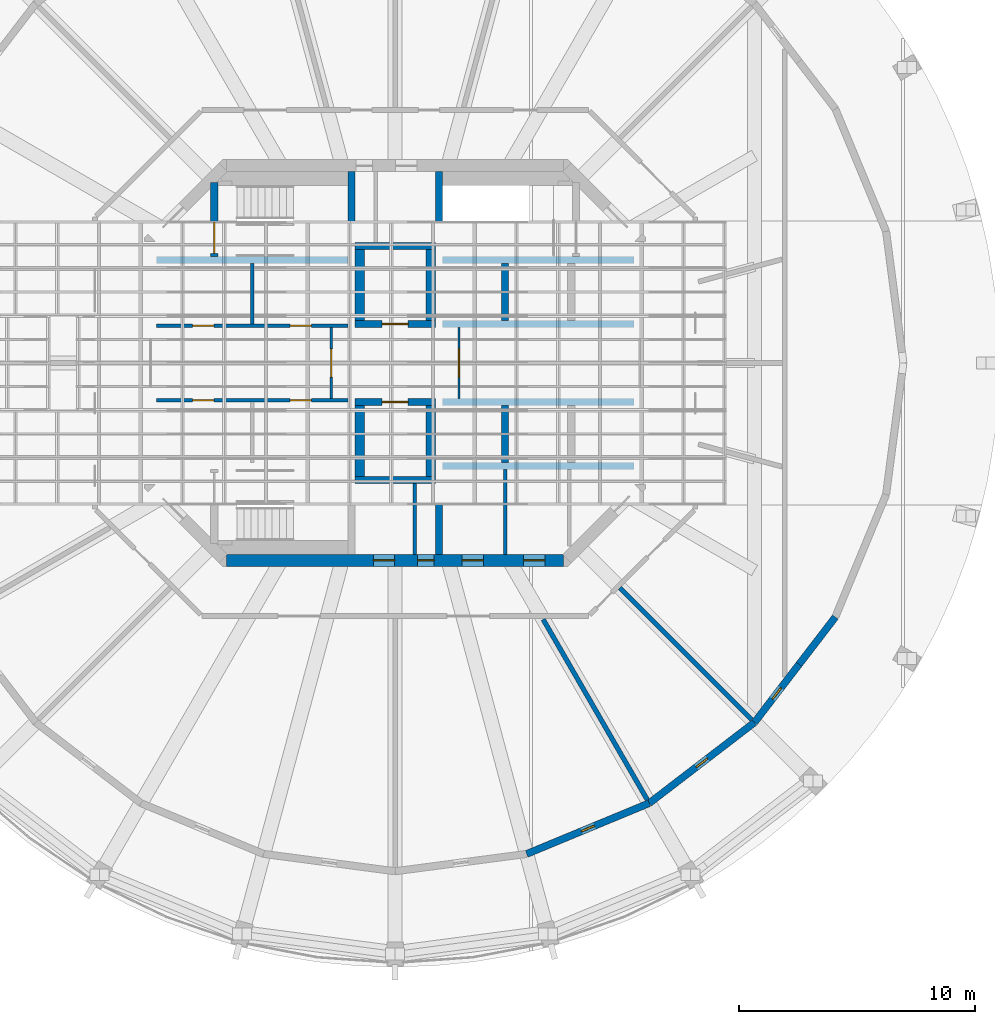
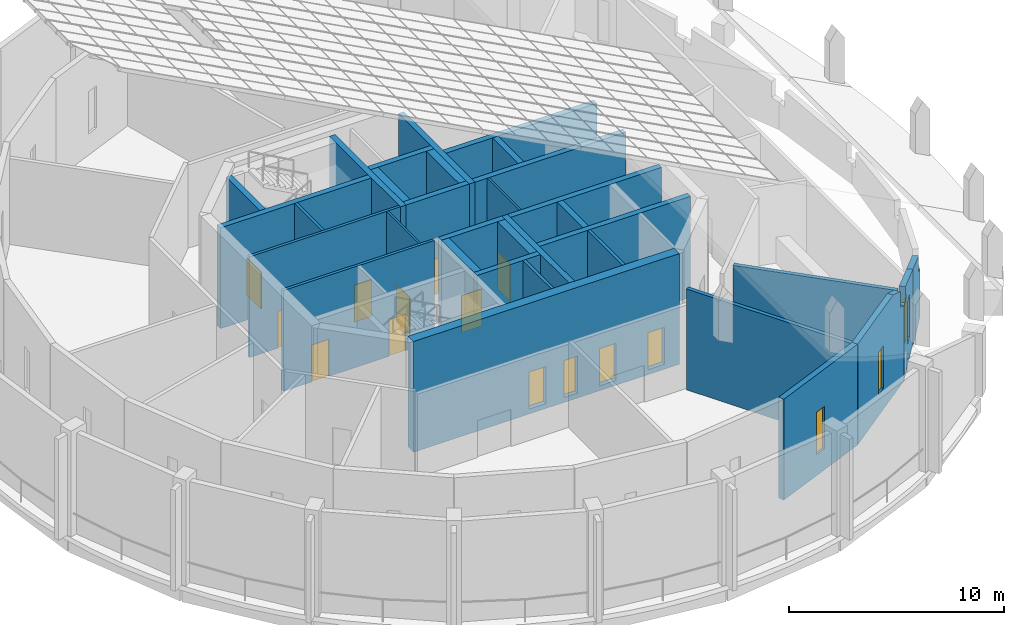
# One storey, part 14 of 19: 33 walls, 13 doors, 3 windows, 16 openings.
"""IFC4 building model written with IfcOpenShell, lengths in metres."""

from ifc_helpers import new_model, si_unit, direction, frame, frame_2d, origin, place, context, subcontext, project, spatial, polyline, rectangle, outline, extrude, material, layer, layer_set, type_object, element, fill, save


model = new_model("IFC4")

# Units and contexts
model_context = context("Model", 3, precision=1e-05, world=origin(), true_north=direction((0.0, 1.0)))
body_context = subcontext(model_context, "Body", "Model", "MODEL_VIEW")
ifc_project = project(units=[si_unit("LENGTHUNIT", "METRE"), si_unit("AREAUNIT", "SQUARE_METRE"), si_unit("VOLUMEUNIT", "CUBIC_METRE"), si_unit("PLANEANGLEUNIT", "RADIAN"), si_unit("MASSUNIT", "GRAM", prefix="KILO")], contexts=[model_context])

# Site, building, storey
site_placement = place(None, origin())
site = spatial("IfcSite", under=ifc_project, at=site_placement, CompositionType="ELEMENT")
building_placement = place(site_placement, origin())
building = spatial("IfcBuilding", under=site, at=building_placement, Name="Torre Triforio", CompositionType="ELEMENT")
storey_placement = place(building_placement, frame((0.0, 0.0, 290.800048828125)))
storey = spatial("IfcBuildingStorey", under=building, at=storey_placement, Name="RF-1", CompositionType="ELEMENT", Elevation=290.800048828125)

# Walls
ifc_material_1 = material(Name="Concrete C40", Category="concrete")
ifc_layer_1 = layer(ifc_material_1, 0.300048828125)
ifc_layer_set_1 = layer_set([ifc_layer_1], Name="Concrete C40")
wall_type_1 = type_object("IfcWallType", Name="Core wall 300 mm C40 EI 120", PredefinedType="SHEAR", material=ifc_layer_set_1)
for number, where, z_axis, x_axis, name in (
    (1, (-1.85009765625, 1.5, 0.0), (0.0, 0.0, 1.0), (0.0, 1.0, 0.0), "Core wall"),
    (2, (1.85009765625, 1.5, 0.0), (0.0, 0.0, 1.0), (0.0, 1.0, 0.0), "Core wall"),
    (3, (1.85009765625, -8.10009765625, 0.0), (0.0, 0.0, 1.0), (0.0, 1.0, 0.0), "Core wall"),
):
    element("IfcWall", number, at=place(storey_placement, frame(where, z_axis=z_axis, x_axis=x_axis)), inside=storey, type_object=wall_type_1, Name=name, PredefinedType="SHEAR", context=body_context, shape_type="SweptSolid", body=[
        extrude(rectangle(XDim=6.60009765625, YDim=0.300048828125, at=frame_2d((3.300048828125, 0.0))), origin(), (0.0, 0.0, 1.0), 5.719970703125),
    ])

# Wall, openings, doors
ifc_layer_2 = layer(ifc_material_1, 0.5)
ifc_layer_set_2 = layer_set([ifc_layer_2], Name="Concrete C40")
wall_type_2 = type_object("IfcWallType", Name="Core wall 500 mm C40 EI 120", PredefinedType="SHEAR", material=ifc_layer_set_2)
wall_1_placement = place(storey_placement, frame((-7.1298828125, -8.35009765625, -0.280029296875), z_axis=(0.0, 0.0, 1.0), x_axis=(1.0, 0.0, 0.0)))
wall_1 = element("IfcWall", 4, at=wall_1_placement, inside=storey, type_object=wall_type_2, Name="Core wall", PredefinedType="SHEAR", context=body_context, shape_type="SweptSolid", body=[
    extrude(rectangle(XDim=14.259765625, YDim=0.5, at=frame_2d((7.1298828125, 0.0))), origin(), (0.0, 0.0, 1.0), 6.280029296875),
])
opening_1_placement = place(wall_1_placement, frame((8.080078125, 0.0, 0.280029296875)))
opening_1 = element("IfcOpeningElement", 5, at=opening_1_placement, cuts=wall_1, Name="Opening RISER-S", PredefinedType="OPENING", context=body_context, shape_type="SweptSolid", body=[
    extrude(rectangle(XDim=0.699951171875, YDim=2.10009765625, at=frame_2d((0.35009765625, 1.050048828125))), frame((0.0, 0.260009765625, 0.0), z_axis=(0.0, -1.0, 0.0), x_axis=(1.0, 0.0, 0.0)), (0.0, 0.0, 1.0), 0.52001953125),
])
opening_2_placement = place(wall_1_placement, frame((6.205078125, 0.0, 0.280029296875)))
opening_2 = element("IfcOpeningElement", 6, at=opening_2_placement, cuts=wall_1, Name="Opening SW-01", PredefinedType="OPENING", context=body_context, shape_type="SweptSolid", body=[
    extrude(rectangle(XDim=0.89990234375, YDim=2.10009765625, at=frame_2d((0.449951171875, 1.050048828125))), frame((0.0, 0.260009765625, 0.0), z_axis=(0.0, -1.0, 0.0), x_axis=(1.0, 0.0, 0.0)), (0.0, 0.0, 1.0), 0.52001953125),
])
opening_3_placement = place(wall_1_placement, frame((9.967041015625, 0.0, 0.280029296875)))
opening_3 = element("IfcOpeningElement", 7, at=opening_3_placement, cuts=wall_1, Name="Opening SE-01", PredefinedType="OPENING", context=body_context, shape_type="SweptSolid", body=[
    extrude(rectangle(XDim=0.89990234375, YDim=2.10009765625, at=frame_2d((0.449951171875, 1.050048828125))), frame((0.0, 0.260009765625, 0.0), z_axis=(0.0, -1.0, 0.0), x_axis=(1.0, 0.0, 0.0)), (0.0, 0.0, 1.0), 0.52001953125),
])
opening_4_placement = place(wall_1_placement, frame((12.56689453125, 0.0, 0.280029296875)))
opening_4 = element("IfcOpeningElement", 8, at=opening_4_placement, cuts=wall_1, Name="Opening SE-02A", PredefinedType="OPENING", context=body_context, shape_type="SweptSolid", body=[
    extrude(rectangle(XDim=0.89990234375, YDim=2.10009765625, at=frame_2d((0.449951171875, 1.050048828125))), frame((0.0, 0.260009765625, 0.0), z_axis=(0.0, -1.0, 0.0), x_axis=(1.0, 0.0, 0.0)), (0.0, 0.0, 1.0), 0.52001953125),
])
ifc_material_2 = material(Name="Hollow metal fire door leaf")
door_type_1 = type_object("IfcDoorType", Name="Plant room door 900 x 2100 EI 60", OperationType="NOTDEFINED", PredefinedType="DOOR", material=ifc_material_2)
door_1_placement = place(opening_2_placement, origin())
door_1 = element("IfcDoor", 9, at=door_1_placement, inside=storey, type_object=door_type_1, Name="Core door SW-01", OperationType="SINGLE_SWING_LEFT", OverallHeight=2.10009765625, OverallWidth=0.89990234375, PredefinedType="DOOR", context=body_context, shape_type="SweptSolid", body=[
    extrude(rectangle(XDim=0.89990234375, YDim=2.10009765625, at=frame_2d((0.449951171875, 1.050048828125))), frame((0.0, 0.02490234375, 0.0), z_axis=(0.0, -1.0, 0.0), x_axis=(1.0, 0.0, 0.0)), (0.0, 0.0, 1.0), 0.050048828125),
])
fill(opening_2, door_1)
door_2_placement = place(opening_3_placement, origin())
door_2 = element("IfcDoor", 10, at=door_2_placement, inside=storey, type_object=door_type_1, Name="Core door SE-01", OperationType="SINGLE_SWING_LEFT", OverallHeight=2.10009765625, OverallWidth=0.89990234375, PredefinedType="DOOR", context=body_context, shape_type="SweptSolid", body=[
    extrude(rectangle(XDim=0.89990234375, YDim=2.10009765625, at=frame_2d((0.449951171875, 1.050048828125))), frame((0.0, 0.02490234375, 0.0), z_axis=(0.0, -1.0, 0.0), x_axis=(1.0, 0.0, 0.0)), (0.0, 0.0, 1.0), 0.050048828125),
])
fill(opening_3, door_2)
door_3_placement = place(opening_4_placement, origin())
door_3 = element("IfcDoor", 11, at=door_3_placement, inside=storey, type_object=door_type_1, Name="Core door SE-02", OperationType="SINGLE_SWING_LEFT", OverallHeight=2.10009765625, OverallWidth=0.89990234375, PredefinedType="DOOR", context=body_context, shape_type="SweptSolid", body=[
    extrude(rectangle(XDim=0.89990234375, YDim=2.10009765625, at=frame_2d((0.449951171875, 1.050048828125))), frame((0.0, 0.02490234375, 0.0), z_axis=(0.0, -1.0, 0.0), x_axis=(1.0, 0.0, 0.0)), (0.0, 0.0, 1.0), 0.050048828125),
])
fill(opening_4, door_3)
door_type_2 = type_object("IfcDoorType", Name="Riser door 700 x 2100 EI 60", OperationType="NOTDEFINED", PredefinedType="DOOR", material=ifc_material_2)
door_4_placement = place(opening_1_placement, origin())
door_4 = element("IfcDoor", 12, at=door_4_placement, inside=storey, type_object=door_type_2, Name="Core door RISER-S", OperationType="SINGLE_SWING_RIGHT", OverallHeight=2.10009765625, OverallWidth=0.699951171875, PredefinedType="DOOR", context=body_context, shape_type="SweptSolid", body=[
    extrude(rectangle(XDim=0.699951171875, YDim=2.10009765625, at=frame_2d((0.35009765625, 1.050048828125))), frame((0.0, 0.02490234375, 0.0), z_axis=(0.0, -1.0, 0.0), x_axis=(1.0, 0.0, 0.0)), (0.0, 0.0, 1.0), 0.050048828125),
])
fill(opening_1, door_4)

# Wall, opening, door
ifc_material_3 = material(Name="Block and board partition")
ifc_layer_3 = layer(ifc_material_3, 0.10009765625)
ifc_layer_set_3 = layer_set([ifc_layer_3], Name="Block and board partition")
wall_type_3 = type_object("IfcWallType", Name="Partition 100 mm EI 120", PredefinedType="PARTITIONING", material=ifc_layer_set_3)
wall_2_placement = place(storey_placement, frame((-2.699951171875, -1.5, 0.0), z_axis=(0.0, 0.0, 1.0), x_axis=(0.0, 1.0, 0.0)))
wall_2 = element("IfcWall", 13, at=wall_2_placement, inside=storey, type_object=wall_type_3, Name="Partition", PredefinedType="PARTITIONING", context=body_context, shape_type="SweptSolid", body=[
    extrude(rectangle(XDim=3.0, YDim=0.10009765625, at=frame_2d((1.5, 0.0))), origin(), (0.0, 0.0, 1.0), 5.719970703125),
])
opening_5_placement = place(wall_2_placement, frame((0.89990234375, 0.0, 0.0)))
opening_5 = element("IfcOpeningElement", 14, at=opening_5_placement, cuts=wall_2, Name="Opening FF-W", PredefinedType="OPENING", context=body_context, shape_type="SweptSolid", body=[
    extrude(rectangle(XDim=1.199951171875, YDim=2.10009765625, at=frame_2d((0.60009765625, 1.050048828125))), frame((0.0, 0.06005859375, 0.0), z_axis=(0.0, -1.0, 0.0), x_axis=(1.0, 0.0, 0.0)), (0.0, 0.0, 1.0), 0.1201171875),
])
door_type_3 = type_object("IfcDoorType", Name="Fire-fighting lobby door 1200 x 2100 EI 60", OperationType="NOTDEFINED", PredefinedType="DOOR", material=ifc_material_2)
door_5_placement = place(opening_5_placement, origin())
door_5 = element("IfcDoor", 15, at=door_5_placement, inside=storey, type_object=door_type_3, Name="Core door FF-W", OperationType="SINGLE_SWING_RIGHT", OverallHeight=2.10009765625, OverallWidth=1.199951171875, PredefinedType="DOOR", context=body_context, shape_type="SweptSolid", body=[
    extrude(rectangle(XDim=1.199951171875, YDim=2.10009765625, at=frame_2d((0.60009765625, 1.050048828125))), frame((0.0, 0.02490234375, 0.0), z_axis=(0.0, -1.0, 0.0), x_axis=(1.0, 0.0, 0.0)), (0.0, 0.0, 1.0), 0.050048828125),
])
fill(opening_5, door_5)

wall_3_placement = place(storey_placement, frame((2.699951171875, -1.5, 0.0), z_axis=(0.0, 0.0, 1.0), x_axis=(0.0, 1.0, 0.0)))
wall_3 = element("IfcWall", 16, at=wall_3_placement, inside=storey, type_object=wall_type_3, Name="Partition", PredefinedType="PARTITIONING", context=body_context, shape_type="SweptSolid", body=[
    extrude(rectangle(XDim=3.0, YDim=0.10009765625, at=frame_2d((1.5, 0.0))), origin(), (0.0, 0.0, 1.0), 5.719970703125),
])
opening_6_placement = place(wall_3_placement, frame((0.89990234375, 0.0, 0.0)))
opening_6 = element("IfcOpeningElement", 17, at=opening_6_placement, cuts=wall_3, Name="Opening FF-E", PredefinedType="OPENING", context=body_context, shape_type="SweptSolid", body=[
    extrude(rectangle(XDim=1.199951171875, YDim=2.10009765625, at=frame_2d((0.60009765625, 1.050048828125))), frame((0.0, 0.06005859375, 0.0), z_axis=(0.0, -1.0, 0.0), x_axis=(1.0, 0.0, 0.0)), (0.0, 0.0, 1.0), 0.1201171875),
])
door_6_placement = place(opening_6_placement, origin())
door_6 = element("IfcDoor", 18, at=door_6_placement, inside=storey, type_object=door_type_3, Name="Core door FF-E", OperationType="SINGLE_SWING_RIGHT", OverallHeight=2.10009765625, OverallWidth=1.199951171875, PredefinedType="DOOR", context=body_context, shape_type="SweptSolid", body=[
    extrude(rectangle(XDim=1.199951171875, YDim=2.10009765625, at=frame_2d((0.60009765625, 1.050048828125))), frame((0.0, 0.02490234375, 0.0), z_axis=(0.0, -1.0, 0.0), x_axis=(1.0, 0.0, 0.0)), (0.0, 0.0, 1.0), 0.050048828125),
])
fill(opening_6, door_6)

# Walls
ifc_layer_4 = layer(ifc_material_3, 0.14990234375)
ifc_layer_set_4 = layer_set([ifc_layer_4], Name="Block and board partition")
wall_type_4 = type_object("IfcWallType", Name="Partition 150 mm", PredefinedType="PARTITIONING", material=ifc_layer_set_4)
wall_4_placement = place(storey_placement, frame((4.64892578125, -8.10009765625, 0.0), z_axis=(0.0, 0.0, 1.0), x_axis=(0.0, 1.0, 0.0)))
element("IfcWall", 19, at=wall_4_placement, inside=storey, type_object=wall_type_4, Name="Partition", PredefinedType="PARTITIONING", context=body_context, shape_type="SweptSolid", body=[
    extrude(rectangle(XDim=3.60009765625, YDim=0.14990234375, at=frame_2d((1.800048828125, 0.0))), origin(), (0.0, 0.0, 1.0), 5.719970703125),
])
wall_5_placement = place(storey_placement, frame((-6.050048828125, 1.64990234375, 0.0), z_axis=(0.0, 0.0, 1.0), x_axis=(0.0, 1.0, 0.0)))
element("IfcWall", 20, at=wall_5_placement, inside=storey, type_object=wall_type_4, Name="Partition", PredefinedType="PARTITIONING", context=body_context, shape_type="SweptSolid", body=[
    extrude(rectangle(XDim=2.550048828125, YDim=0.14990234375, at=frame_2d((1.27490234375, 0.0))), origin(), (0.0, 0.0, 1.0), 5.719970703125),
])
ifc_layer_5 = layer(ifc_material_3, 0.14990234375)
ifc_layer_set_5 = layer_set([ifc_layer_5], Name="Block and board partition")
wall_type_5 = type_object("IfcWallType", Name="Partition 150 mm EI 120", PredefinedType="PARTITIONING", material=ifc_layer_set_5)
wall_6_placement = place(storey_placement, frame((0.824951171875, -8.10009765625, 0.0), z_axis=(0.0, 0.0, 1.0), x_axis=(0.0, 1.0, 0.0)))
element("IfcWall", 21, at=wall_6_placement, inside=storey, type_object=wall_type_5, Name="Partition", PredefinedType="PARTITIONING", context=body_context, shape_type="SweptSolid", body=[
    extrude(rectangle(XDim=3.0, YDim=0.14990234375, at=frame_2d((1.5, 0.0))), origin(), (0.0, 0.0, 1.0), 5.719970703125),
])

# Wall, openings, doors
wall_7_placement = place(storey_placement, frame((-10.10009765625, 1.574951171875, 0.0), z_axis=(0.0, 0.0, 1.0), x_axis=(1.0, 0.0, 0.0)))
wall_7 = element("IfcWall", 22, at=wall_7_placement, inside=storey, type_object=wall_type_5, Name="Partition", PredefinedType="PARTITIONING", context=body_context, shape_type="SweptSolid", body=[
    extrude(rectangle(XDim=8.10009765625, YDim=0.14990234375, at=frame_2d((4.050048828125, 0.0))), origin(), (0.0, 0.0, 1.0), 5.719970703125),
])
opening_7_placement = place(wall_7_placement, frame((1.53759765625, 0.0, 0.0)))
opening_7 = element("IfcOpeningElement", 23, at=opening_7_placement, cuts=wall_7, Name="Opening FN-01A", PredefinedType="OPENING", context=body_context, shape_type="SweptSolid", body=[
    extrude(rectangle(XDim=0.89990234375, YDim=2.10009765625, at=frame_2d((0.449951171875, 1.050048828125))), frame((0.0, 0.0849609375, 0.0), z_axis=(0.0, -1.0, 0.0), x_axis=(1.0, 0.0, 0.0)), (0.0, 0.0, 1.0), 0.169921875),
])
opening_8_placement = place(wall_7_placement, frame((5.66259765625, 0.0, 0.0)))
opening_8 = element("IfcOpeningElement", 24, at=opening_8_placement, cuts=wall_7, Name="Opening FN-02A", PredefinedType="OPENING", context=body_context, shape_type="SweptSolid", body=[
    extrude(rectangle(XDim=0.89990234375, YDim=2.10009765625, at=frame_2d((0.449951171875, 1.050048828125))), frame((0.0, 0.0849609375, 0.0), z_axis=(0.0, -1.0, 0.0), x_axis=(1.0, 0.0, 0.0)), (0.0, 0.0, 1.0), 0.169921875),
])
door_7_placement = place(opening_7_placement, origin())
door_7 = element("IfcDoor", 25, at=door_7_placement, inside=storey, type_object=door_type_1, Name="Core door FN-01", OperationType="SINGLE_SWING_RIGHT", OverallHeight=2.10009765625, OverallWidth=0.89990234375, PredefinedType="DOOR", context=body_context, shape_type="SweptSolid", body=[
    extrude(rectangle(XDim=0.89990234375, YDim=2.10009765625, at=frame_2d((0.449951171875, 1.050048828125))), frame((0.0, 0.02490234375, 0.0), z_axis=(0.0, -1.0, 0.0), x_axis=(1.0, 0.0, 0.0)), (0.0, 0.0, 1.0), 0.050048828125),
])
fill(opening_7, door_7)
door_8_placement = place(opening_8_placement, origin())
door_8 = element("IfcDoor", 26, at=door_8_placement, inside=storey, type_object=door_type_1, Name="Core door FN-02", OperationType="SINGLE_SWING_RIGHT", OverallHeight=2.10009765625, OverallWidth=0.89990234375, PredefinedType="DOOR", context=body_context, shape_type="SweptSolid", body=[
    extrude(rectangle(XDim=0.89990234375, YDim=2.10009765625, at=frame_2d((0.449951171875, 1.050048828125))), frame((0.0, 0.02490234375, 0.0), z_axis=(0.0, -1.0, 0.0), x_axis=(1.0, 0.0, 0.0)), (0.0, 0.0, 1.0), 0.050048828125),
])
fill(opening_8, door_8)

wall_8_placement = place(storey_placement, frame((-10.10009765625, -1.574951171875, 0.0), z_axis=(0.0, 0.0, 1.0), x_axis=(1.0, 0.0, 0.0)))
wall_8 = element("IfcWall", 27, at=wall_8_placement, inside=storey, type_object=wall_type_5, Name="Partition", PredefinedType="PARTITIONING", context=body_context, shape_type="SweptSolid", body=[
    extrude(rectangle(XDim=8.10009765625, YDim=0.14990234375, at=frame_2d((4.050048828125, 0.0))), origin(), (0.0, 0.0, 1.0), 5.719970703125),
])
opening_9_placement = place(wall_8_placement, frame((1.53759765625, 0.0, 0.0)))
opening_9 = element("IfcOpeningElement", 28, at=opening_9_placement, cuts=wall_8, Name="Opening FS-01A", PredefinedType="OPENING", context=body_context, shape_type="SweptSolid", body=[
    extrude(rectangle(XDim=0.89990234375, YDim=2.10009765625, at=frame_2d((0.449951171875, 1.050048828125))), frame((0.0, 0.0849609375, 0.0), z_axis=(0.0, -1.0, 0.0), x_axis=(1.0, 0.0, 0.0)), (0.0, 0.0, 1.0), 0.169921875),
])
opening_10_placement = place(wall_8_placement, frame((5.66259765625, 0.0, 0.0)))
opening_10 = element("IfcOpeningElement", 29, at=opening_10_placement, cuts=wall_8, Name="Opening FS-02A", PredefinedType="OPENING", context=body_context, shape_type="SweptSolid", body=[
    extrude(rectangle(XDim=0.89990234375, YDim=2.10009765625, at=frame_2d((0.449951171875, 1.050048828125))), frame((0.0, 0.0849609375, 0.0), z_axis=(0.0, -1.0, 0.0), x_axis=(1.0, 0.0, 0.0)), (0.0, 0.0, 1.0), 0.169921875),
])
door_9_placement = place(opening_9_placement, origin())
door_9 = element("IfcDoor", 30, at=door_9_placement, inside=storey, type_object=door_type_1, Name="Core door FS-01", OperationType="SINGLE_SWING_LEFT", OverallHeight=2.10009765625, OverallWidth=0.89990234375, PredefinedType="DOOR", context=body_context, shape_type="SweptSolid", body=[
    extrude(rectangle(XDim=0.89990234375, YDim=2.10009765625, at=frame_2d((0.449951171875, 1.050048828125))), frame((0.0, 0.02490234375, 0.0), z_axis=(0.0, -1.0, 0.0), x_axis=(1.0, 0.0, 0.0)), (0.0, 0.0, 1.0), 0.050048828125),
])
fill(opening_9, door_9)
door_10_placement = place(opening_10_placement, origin())
door_10 = element("IfcDoor", 31, at=door_10_placement, inside=storey, type_object=door_type_1, Name="Core door FS-02", OperationType="SINGLE_SWING_LEFT", OverallHeight=2.10009765625, OverallWidth=0.89990234375, PredefinedType="DOOR", context=body_context, shape_type="SweptSolid", body=[
    extrude(rectangle(XDim=0.89990234375, YDim=2.10009765625, at=frame_2d((0.449951171875, 1.050048828125))), frame((0.0, 0.02490234375, 0.0), z_axis=(0.0, -1.0, 0.0), x_axis=(1.0, 0.0, 0.0)), (0.0, 0.0, 1.0), 0.050048828125),
])
fill(opening_10, door_10)

# Walls
ifc_material_4 = material(Name="Masonry block", Category="masonry")
ifc_layer_6 = layer(ifc_material_4, 0.199951171875)
ifc_layer_set_6 = layer_set([ifc_layer_6], Name="Masonry block")
wall_type_6 = type_object("IfcWallType", Name="Plant room wall 200 mm block EI 120", PredefinedType="PARTITIONING", material=ifc_layer_set_6)
wall_9_placement = place(storey_placement, frame((6.263916015625, -10.849365234375, 0.0), z_axis=(0.0, 0.0, 1.0), x_axis=(0.500011144378, -0.866018969479, 0.0)))
element("IfcWall", 32, at=wall_9_placement, inside=storey, type_object=wall_type_6, Name="Partition 21", PredefinedType="PARTITIONING", context=body_context, shape_type="SweptSolid", body=[
    extrude(rectangle(XDim=8.808837890625, YDim=0.199951171875, at=frame_2d((4.404296875, 0.0))), origin(), (0.0, 0.0, 1.0), 5.719970703125),
])
wall_10_placement = place(storey_placement, frame((9.50927734375, -9.50927734375, 0.0), z_axis=(0.0, 0.0, 1.0), x_axis=(0.707106781187, -0.707106781187, 0.0)))
element("IfcWall", 33, at=wall_10_placement, inside=storey, type_object=wall_type_6, Name="Partition 22", PredefinedType="PARTITIONING", context=body_context, shape_type="SweptSolid", body=[
    extrude(rectangle(XDim=7.888671875, YDim=0.199951171875, at=frame_2d((3.9443359375, 0.0))), origin(), (0.0, 0.0, 1.0), 5.113037109375),
])
ifc_layer_7 = layer(ifc_material_1, 0.300048828125)
ifc_layer_set_7 = layer_set([ifc_layer_7], Name="Concrete C40")
wall_type_7 = type_object("IfcWallType", Name="Shaft wall 300 mm C40 EI 120", PredefinedType="SOLIDWALL", material=ifc_layer_set_7)
for number, where, z_axis, x_axis, name in (
    (34, (-10.10009765625, 4.35009765625, 0.0), (0.0, 0.0, 1.0), (1.0, 0.0, 0.0), "Shaft wall"),
    (35, (2.0, 4.35009765625, 0.0), (0.0, 0.0, 1.0), (1.0, 0.0, 0.0), "Shaft wall"),
    (36, (2.0, -4.35009765625, 0.0), (0.0, 0.0, 1.0), (1.0, 0.0, 0.0), "Shaft wall"),
    (37, (2.0, 1.64990234375, 0.0), (0.0, 0.0, 1.0), (1.0, 0.0, 0.0), "Shaft wall"),
    (38, (2.0, -1.64990234375, 0.0), (0.0, 0.0, 1.0), (1.0, 0.0, 0.0), "Shaft wall"),
):
    element("IfcWall", number, at=place(storey_placement, frame(where, z_axis=z_axis, x_axis=x_axis)), inside=storey, type_object=wall_type_7, Name=name, PredefinedType="SOLIDWALL", context=body_context, shape_type="SweptSolid", body=[
        extrude(rectangle(XDim=8.10009765625, YDim=0.300048828125, at=frame_2d((4.050048828125, 0.0))), origin(), (0.0, 0.0, 1.0), 5.719970703125),
    ])
for number, where, z_axis, x_axis, name in (
    (39, (4.64990234375, 1.800048828125, 0.0), (0.0, 0.0, 1.0), (0.0, 1.0, 0.0), "Shaft wall"),
    (40, (4.64990234375, -4.199951171875, 0.0), (0.0, 0.0, 1.0), (0.0, 1.0, 0.0), "Shaft wall"),
):
    element("IfcWall", number, at=place(storey_placement, frame(where, z_axis=z_axis, x_axis=x_axis)), inside=storey, type_object=wall_type_7, Name=name, PredefinedType="SOLIDWALL", context=body_context, shape_type="SweptSolid", body=[
        extrude(rectangle(XDim=2.39990234375, YDim=0.300048828125, at=frame_2d((1.199951171875, 0.0))), origin(), (0.0, 0.0, 1.0), 5.719970703125),
    ])

# Wall, opening, door
wall_11_placement = place(storey_placement, frame((-1.699951171875, 1.64990234375, 0.0), z_axis=(0.0, 0.0, 1.0), x_axis=(1.0, 0.0, 0.0)))
wall_11 = element("IfcWall", 41, at=wall_11_placement, inside=storey, type_object=wall_type_7, Name="Shaft wall", PredefinedType="SOLIDWALL", context=body_context, shape_type="SweptSolid", body=[
    extrude(rectangle(XDim=3.39990234375, YDim=0.300048828125, at=frame_2d((1.699951171875, 0.0))), origin(), (0.0, 0.0, 1.0), 5.719970703125),
])
opening_11_placement = place(wall_11_placement, frame((1.14990234375, 0.0, 0.0)))
opening_11 = element("IfcOpeningElement", 42, at=opening_11_placement, cuts=wall_11, Name="Opening LD", PredefinedType="OPENING", context=body_context, shape_type="SweptSolid", body=[
    extrude(rectangle(XDim=1.10009765625, YDim=2.10009765625, at=frame_2d((0.550048828125, 1.050048828125))), frame((0.0, 0.159912109375, 0.0), z_axis=(0.0, -1.0, 0.0), x_axis=(1.0, 0.0, 0.0)), (0.0, 0.0, 1.0), 0.320068359375),
])
door_type_4 = type_object("IfcDoorType", Name="Landing door 1100 x 2100 EI 60", OperationType="DOUBLE_DOOR_SLIDING", PredefinedType="DOOR", material=ifc_material_2)
door_11_placement = place(opening_11_placement, origin())
door_11 = element("IfcDoor", 43, at=door_11_placement, inside=storey, type_object=door_type_4, Name="Landing door FFL1", OperationType="DOUBLE_DOOR_SLIDING", OverallHeight=2.10009765625, OverallWidth=1.10009765625, PredefinedType="DOOR", context=body_context, shape_type="SweptSolid", body=[
    extrude(rectangle(XDim=1.10009765625, YDim=2.10009765625, at=frame_2d((0.550048828125, 1.050048828125))), frame((0.0, 0.02490234375, 0.0), z_axis=(0.0, -1.0, 0.0), x_axis=(1.0, 0.0, 0.0)), (0.0, 0.0, 1.0), 0.050048828125),
])
fill(opening_11, door_11)

wall_12_placement = place(storey_placement, frame((-1.699951171875, -1.64990234375, 0.0), z_axis=(0.0, 0.0, 1.0), x_axis=(1.0, 0.0, 0.0)))
wall_12 = element("IfcWall", 44, at=wall_12_placement, inside=storey, type_object=wall_type_7, Name="Shaft wall", PredefinedType="SOLIDWALL", context=body_context, shape_type="SweptSolid", body=[
    extrude(rectangle(XDim=3.39990234375, YDim=0.300048828125, at=frame_2d((1.699951171875, 0.0))), origin(), (0.0, 0.0, 1.0), 5.719970703125),
])
opening_12_placement = place(wall_12_placement, frame((1.14990234375, 0.0, 0.0)))
opening_12 = element("IfcOpeningElement", 45, at=opening_12_placement, cuts=wall_12, Name="Opening LD", PredefinedType="OPENING", context=body_context, shape_type="SweptSolid", body=[
    extrude(rectangle(XDim=1.10009765625, YDim=2.10009765625, at=frame_2d((0.550048828125, 1.050048828125))), frame((0.0, 0.159912109375, 0.0), z_axis=(0.0, -1.0, 0.0), x_axis=(1.0, 0.0, 0.0)), (0.0, 0.0, 1.0), 0.320068359375),
])
door_12_placement = place(opening_12_placement, origin())
door_12 = element("IfcDoor", 46, at=door_12_placement, inside=storey, type_object=door_type_4, Name="Landing door FFL2", OperationType="DOUBLE_DOOR_SLIDING", OverallHeight=2.10009765625, OverallWidth=1.10009765625, PredefinedType="DOOR", context=body_context, shape_type="SweptSolid", body=[
    extrude(rectangle(XDim=1.10009765625, YDim=2.10009765625, at=frame_2d((0.550048828125, 1.050048828125))), frame((0.0, 0.02490234375, 0.0), z_axis=(0.0, -1.0, 0.0), x_axis=(1.0, 0.0, 0.0)), (0.0, 0.0, 1.0), 0.050048828125),
])
fill(opening_12, door_12)

# Walls
for number, where, z_axis, x_axis, name in (
    (47, (-1.699951171875, 4.949951171875, 0.0), (0.0, 0.0, 1.0), (1.0, 0.0, 0.0), "Shaft wall"),
    (48, (-1.699951171875, -4.949951171875, 0.0), (0.0, 0.0, 1.0), (1.0, 0.0, 0.0), "Shaft wall"),
):
    element("IfcWall", number, at=place(storey_placement, frame(where, z_axis=z_axis, x_axis=x_axis)), inside=storey, type_object=wall_type_7, Name=name, PredefinedType="SOLIDWALL", context=body_context, shape_type="SweptSolid", body=[
        extrude(rectangle(XDim=3.39990234375, YDim=0.300048828125, at=frame_2d((1.699951171875, 0.0))), origin(), (0.0, 0.0, 1.0), 5.719970703125),
    ])
ifc_layer_8 = layer(ifc_material_1, 0.39990234375)
ifc_layer_set_8 = layer_set([ifc_layer_8], Name="Concrete C40")
wall_type_8 = type_object("IfcWallType", Name="Shaft wall 400 mm C40 EI 120", PredefinedType="SOLIDWALL", material=ifc_layer_set_8)
for number, where, z_axis, x_axis, name in (
    (49, (-1.5, 1.800048828125, 0.0), (0.0, 0.0, 1.0), (0.0, 1.0, 0.0), "Shaft wall"),
    (50, (-1.5, -4.800048828125, 0.0), (0.0, 0.0, 1.0), (0.0, 1.0, 0.0), "Shaft wall"),
    (51, (1.5, 1.800048828125, 0.0), (0.0, 0.0, 1.0), (0.0, 1.0, 0.0), "Shaft wall"),
    (52, (1.5, -4.800048828125, 0.0), (0.0, 0.0, 1.0), (0.0, 1.0, 0.0), "Shaft wall"),
):
    element("IfcWall", number, at=place(storey_placement, frame(where, z_axis=z_axis, x_axis=x_axis)), inside=storey, type_object=wall_type_8, Name=name, PredefinedType="SOLIDWALL", context=body_context, shape_type="SweptSolid", body=[
        extrude(rectangle(XDim=3.0, YDim=0.39990234375, at=frame_2d((1.5, 0.0))), origin(), (0.0, 0.0, 1.0), 5.719970703125),
    ])

# Wall, opening, door
ifc_layer_9 = layer(ifc_material_1, 0.300048828125)
ifc_layer_set_9 = layer_set([ifc_layer_9], Name="Concrete C40")
wall_type_9 = type_object("IfcWallType", Name="Stair wall 300 mm C40 EI 120", PredefinedType="SHEAR", material=ifc_layer_set_9)
wall_13_placement = place(storey_placement, frame((-7.64990234375, 4.5, 0.0), z_axis=(0.0, 0.0, 1.0), x_axis=(0.0, 1.0, 0.0)))
wall_13 = element("IfcWall", 53, at=wall_13_placement, inside=storey, type_object=wall_type_9, Name="Stair wall", PredefinedType="SHEAR", context=body_context, shape_type="SweptSolid", body=[
    extrude(rectangle(XDim=3.139892578125, YDim=0.300048828125, at=frame_2d((1.56982421875, 0.0))), origin(), (0.0, 0.0, 1.0), 5.719970703125),
])
opening_13_placement = place(wall_13_placement, frame((0.139892578125, 0.0, 0.0)))
opening_13 = element("IfcOpeningElement", 54, at=opening_13_placement, cuts=wall_13, Name="Opening ST1-STA", PredefinedType="OPENING", context=body_context, shape_type="SweptSolid", body=[
    extrude(rectangle(XDim=1.320068359375, YDim=2.10009765625, at=frame_2d((0.66015625, 1.050048828125))), frame((0.0, 0.159912109375, 0.0), z_axis=(0.0, -1.0, 0.0), x_axis=(1.0, 0.0, 0.0)), (0.0, 0.0, 1.0), 0.320068359375),
])
door_type_5 = type_object("IfcDoorType", Name="Stair door 1320 x 2100 EI 90", OperationType="DOUBLE_DOOR_SINGLE_SWING", PredefinedType="DOOR", material=ifc_material_2)
door_13_placement = place(opening_13_placement, origin())
door_13 = element("IfcDoor", 55, at=door_13_placement, inside=storey, type_object=door_type_5, Name="Core door ST1-ST", OperationType="DOUBLE_DOOR_SINGLE_SWING", OverallHeight=2.10009765625, OverallWidth=1.320068359375, PredefinedType="DOOR", context=body_context, shape_type="SweptSolid", body=[
    extrude(rectangle(XDim=1.320068359375, YDim=2.10009765625, at=frame_2d((0.66015625, 1.050048828125))), frame((0.0, 0.02490234375, 0.0), z_axis=(0.0, -1.0, 0.0), x_axis=(1.0, 0.0, 0.0)), (0.0, 0.0, 1.0), 0.050048828125),
])
fill(opening_13, door_13)

# Wall, opening, window
ifc_material_5 = material(Name="Limestone cladding", Category="masonry")
ifc_layer_10 = layer(ifc_material_5, 0.10009765625)
ifc_layer_11 = layer(ifc_material_1, 0.199951171875)
ifc_layer_set_10 = layer_set([ifc_layer_10, ifc_layer_11], Name="Limestone cladding / Concrete C40")
wall_type_10 = type_object("IfcWallType", Name="Stone-faced composite wall 300", PredefinedType="STANDARD", material=ifc_layer_set_10)
wall_14_placement = place(storey_placement, frame((5.564697265625, -20.767333984375, 0.0), z_axis=(0.0, 0.0, 1.0), x_axis=(0.92387156362, 0.382702670405, 0.0)))
wall_14 = element("IfcWall", 56, at=wall_14_placement, inside=storey, type_object=wall_type_10, Name="Crown wall RF-1 bay 20", PredefinedType="STANDARD", context=body_context, shape_type="SweptSolid", body=[
    extrude(outline(polyline([(0.0, 0.0), (5.612548828125, 0.0), (5.612548828125, 5.719970703125), (0.0, 5.719970703125), (0.0, 0.0)])), frame((0.0, 0.14990234375, 0.0), z_axis=(0.0, -1.0, 0.0), x_axis=(1.0, 0.0, 0.0)), (0.0, 0.0, 1.0), 0.300048828125),
])
opening_14_placement = place(wall_14_placement, frame((2.50634765625, 0.0, 1.199951171875)))
opening_14 = element("IfcOpeningElement", 57, at=opening_14_placement, cuts=wall_14, Name="Opening CR1-W20", PredefinedType="OPENING", context=body_context, shape_type="SweptSolid", body=[
    extrude(rectangle(XDim=0.60009765625, YDim=2.39990234375, at=frame_2d((0.300048828125, 1.199951171875))), frame((0.0, 0.159912109375, 0.0), z_axis=(0.0, -1.0, 0.0), x_axis=(1.0, 0.0, 0.0)), (0.0, 0.0, 1.0), 0.320068359375),
])
ifc_material_6 = material(Name="Aluminium frame with clear double glazing", Category="aluminium")
window_type = type_object("IfcWindowType", Name="Crown lancet slit window 600 x 2400", PartitioningType="SINGLE_PANEL", PredefinedType="WINDOW", material=ifc_material_6)
window_1_placement = place(opening_14_placement, origin())
window_1 = element("IfcWindow", 58, at=window_1_placement, inside=storey, type_object=window_type, Name="Slit window RF-1 bay 20", OverallHeight=2.39990234375, OverallWidth=0.60009765625, PartitioningType="SINGLE_PANEL", PredefinedType="WINDOW", context=body_context, shape_type="SweptSolid", body=[
    extrude(rectangle(XDim=0.60009765625, YDim=2.39990234375, at=frame_2d((0.300048828125, 1.199951171875))), frame((0.0, 0.030029296875, 0.0), z_axis=(0.0, -1.0, 0.0), x_axis=(1.0, 0.0, 0.0)), (0.0, 0.0, 1.0), 0.06005859375),
])
fill(opening_14, window_1)

wall_15_placement = place(storey_placement, frame((10.75, -18.619384765625, 0.0), z_axis=(0.0, 0.0, 1.0), x_axis=(0.793380165925, 0.608726467567, 0.0)))
wall_15 = element("IfcWall", 59, at=wall_15_placement, inside=storey, type_object=wall_type_10, Name="Crown wall RF-1 bay 21", PredefinedType="STANDARD", context=body_context, shape_type="SweptSolid", body=[
    extrude(outline(polyline([(0.0, 0.0), (5.612548828125, 0.0), (5.612548828125, 4.263916015625), (5.16259765625, 4.453857421875), (5.16064453125, 5.357666015625), (4.3017578125, 5.719970703125), (0.0, 5.719970703125), (0.0, 0.0)])), frame((0.0, 0.14990234375, 0.0), z_axis=(0.0, -1.0, 0.0), x_axis=(1.0, 0.0, 0.0)), (0.0, 0.0, 1.0), 0.300048828125),
])
opening_15_placement = place(wall_15_placement, frame((2.50634765625, 0.0, 1.199951171875)))
opening_15 = element("IfcOpeningElement", 60, at=opening_15_placement, cuts=wall_15, Name="Opening CR1-W21", PredefinedType="OPENING", context=body_context, shape_type="SweptSolid", body=[
    extrude(rectangle(XDim=0.60009765625, YDim=2.39990234375, at=frame_2d((0.300048828125, 1.199951171875))), frame((0.0, 0.159912109375, 0.0), z_axis=(0.0, -1.0, 0.0), x_axis=(1.0, 0.0, 0.0)), (0.0, 0.0, 1.0), 0.320068359375),
])
window_2_placement = place(opening_15_placement, origin())
window_2 = element("IfcWindow", 61, at=window_2_placement, inside=storey, type_object=window_type, Name="Slit window RF-1 bay 21", OverallHeight=2.39990234375, OverallWidth=0.60009765625, PartitioningType="SINGLE_PANEL", PredefinedType="WINDOW", context=body_context, shape_type="SweptSolid", body=[
    extrude(rectangle(XDim=0.60009765625, YDim=2.39990234375, at=frame_2d((0.300048828125, 1.199951171875))), frame((0.0, 0.030029296875, 0.0), z_axis=(0.0, -1.0, 0.0), x_axis=(1.0, 0.0, 0.0)), (0.0, 0.0, 1.0), 0.06005859375),
])
fill(opening_15, window_2)

wall_16_placement = place(storey_placement, frame((15.202880859375, -15.202880859375, 0.0), z_axis=(0.0, 0.0, 1.0), x_axis=(0.608711400692, 0.793391725863, 0.0)))
wall_16 = element("IfcWall", 62, at=wall_16_placement, inside=storey, type_object=wall_type_10, Name="Crown wall RF-1 bay 22", PredefinedType="STANDARD", context=body_context, shape_type="SweptSolid", body=[
    extrude(outline(polyline([(0.0, 0.0), (3.0947265625, 0.0), (3.0947265625, 4.150634765625), (0.451904296875, 5.005859375), (0.449951171875, 4.103515625), (0.0, 4.249267578125), (0.0, 0.0)])), frame((0.0, 0.14990234375, 0.0), z_axis=(0.0, -1.0, 0.0), x_axis=(1.0, 0.0, 0.0)), (0.0, 0.0, 1.0), 0.300048828125),
])
opening_16_placement = place(wall_16_placement, frame((1.247314453125, 0.0, 1.199951171875)))
opening_16 = element("IfcOpeningElement", 63, at=opening_16_placement, cuts=wall_16, Name="Opening CR1-W22", PredefinedType="OPENING", context=body_context, shape_type="SweptSolid", body=[
    extrude(rectangle(XDim=0.60009765625, YDim=2.39990234375, at=frame_2d((0.300048828125, 1.199951171875))), frame((0.0, 0.159912109375, 0.0), z_axis=(0.0, -1.0, 0.0), x_axis=(1.0, 0.0, 0.0)), (0.0, 0.0, 1.0), 0.320068359375),
])
window_3_placement = place(opening_16_placement, origin())
window_3 = element("IfcWindow", 64, at=window_3_placement, inside=storey, type_object=window_type, Name="Slit window RF-1 bay 22", OverallHeight=2.39990234375, OverallWidth=0.60009765625, PartitioningType="SINGLE_PANEL", PredefinedType="WINDOW", context=body_context, shape_type="SweptSolid", body=[
    extrude(rectangle(XDim=0.60009765625, YDim=2.39990234375, at=frame_2d((0.300048828125, 1.199951171875))), frame((0.0, 0.030029296875, 0.0), z_axis=(0.0, -1.0, 0.0), x_axis=(1.0, 0.0, 0.0)), (0.0, 0.0, 1.0), 0.06005859375),
])
fill(opening_16, window_3)

# Wall
wall_17_placement = place(storey_placement, frame((17.086669921875, -12.74755859375, -0.280029296875), z_axis=(0.0, 0.0, 1.0), x_axis=(0.608744986289, 0.793365956963, 0.0)))
element("IfcWall", 65, at=wall_17_placement, inside=storey, type_object=wall_type_10, Name="Crown wall RF-1 bay 22 east", PredefinedType="STANDARD", context=body_context, shape_type="SweptSolid", body=[
    extrude(outline(polyline([(0.0, 0.0), (2.517822265625, 0.0), (2.517822265625, 2.712646484375), (2.06787109375, 2.858154296875), (2.06591796875, 3.761962890625), (0.0, 4.4306640625), (0.0, 0.0)])), frame((0.0, 0.14990234375, 0.0), z_axis=(0.0, -1.0, 0.0), x_axis=(1.0, 0.0, 0.0)), (0.0, 0.0, 1.0), 0.300048828125),
])

save(model, "model.ifc")
